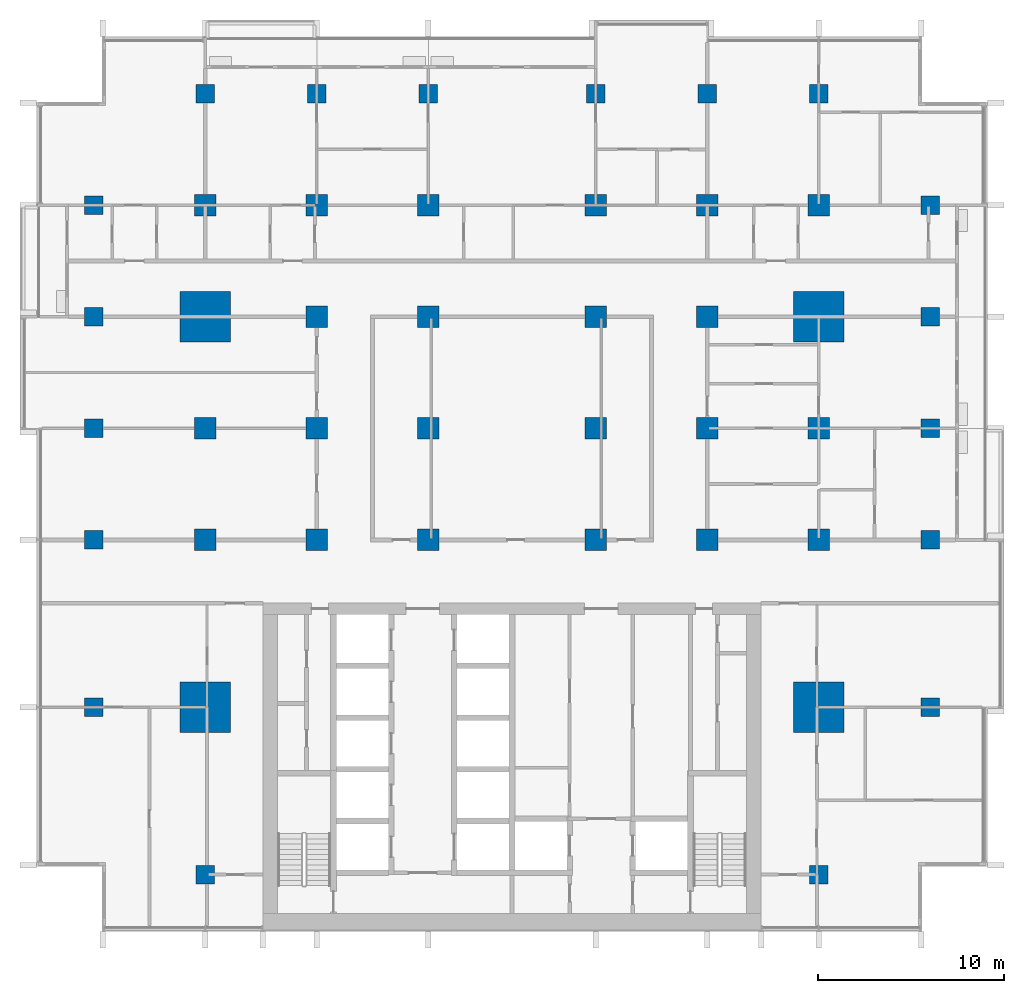
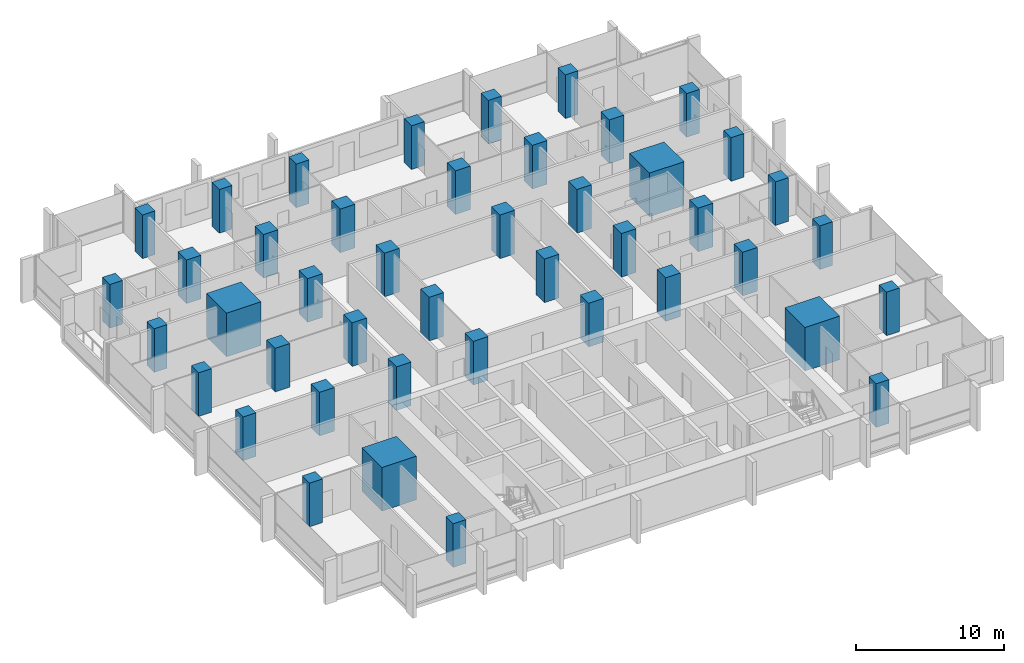
# One storey, part 1 of 17: 44 columns.
"""IFC4 building model written with IfcOpenShell, lengths in metres."""

import ifcopenshell
import ifcopenshell.guid

model = None  # the IFC model being written
_history = None  # IfcOwnerHistory: only IFC2X3 demands one
_inside = {}  # id of a spatial element -> (the spatial element, [elements in it])
_under = {}  # id of a project, library or spatial element -> (it, [spatial elements below it])
_declared = {}  # id of a project -> (the project, [libraries it declares])
_typed = {}  # id of a type object -> (the type object, [elements of that type])
_made_of = {}  # id of a material, layer set ... -> (it, [elements and type objects made of it])


def new_model(schema):
    """Start an empty IFC model of exactly this schema.

    Asked for "IFC4X3", IfcOpenShell would pick the latest addendum, in which some entities
    have other attributes; the version numbers below select the first issue.
    IFC2X3 requires an IfcOwnerHistory on every rooted entity: one is made here for all.
    """
    global model, _history
    if schema == "IFC4X3":
        model = ifcopenshell.file(schema_version=(4, 3, 0, 0))
    else:
        model = ifcopenshell.file(schema=schema)
    _inside.clear()
    _under.clear()
    _declared.clear()
    _typed.clear()
    _made_of.clear()
    _history = None
    if model.schema == "IFC2X3":
        org = make("IfcOrganization", Name="unknown")
        user = make(
            "IfcPersonAndOrganization",
            ThePerson=make("IfcPerson", FamilyName="unknown"),
            TheOrganization=org,
        )
        app = make(
            "IfcApplication",
            ApplicationDeveloper=org,
            Version="unknown",
            ApplicationFullName="unknown",
            ApplicationIdentifier="unknown",
        )
        _history = make(
            "IfcOwnerHistory",
            OwningUser=user,
            OwningApplication=app,
            ChangeAction="ADDED",
            CreationDate=0,
        )
    return model


def make(cls, **values):
    """One entity of the class cls with the attributes given. An attribute that is None is left unset."""
    return model.create_entity(
        cls, **{name: value for name, value in values.items() if value is not None}
    )


def rooted(cls, **values):
    """An entity with a GlobalId (a new one), such as an element, a storey or a relation."""
    return make(cls, GlobalId=ifcopenshell.guid.new(), OwnerHistory=_history, **values)


def si_unit(unit_type, name, prefix=None):
    """IfcSIUnit, for example si_unit("LENGTHUNIT", "METRE", prefix="MILLI")."""
    return make("IfcSIUnit", UnitType=unit_type, Prefix=prefix, Name=name)


def assignment(units):
    """IfcUnitAssignment: the units of a project."""
    return None if units is None else make("IfcUnitAssignment", Units=units)


def point(xyz):
    """IfcCartesianPoint."""
    return None if xyz is None else make("IfcCartesianPoint", Coordinates=xyz)


def direction(xyz):
    """IfcDirection."""
    return None if xyz is None else make("IfcDirection", DirectionRatios=xyz)


def frame(location, z_axis=None, x_axis=None):
    """IfcAxis2Placement3D, a coordinate frame: its origin and axes. An axis left out is left unset."""
    return make(
        "IfcAxis2Placement3D",
        Location=point(location),
        Axis=direction(z_axis),
        RefDirection=direction(x_axis),
    )


def frame_2d(location, x_axis=None):
    """IfcAxis2Placement2D, a coordinate frame in the plane: its origin and x axis."""
    return make(
        "IfcAxis2Placement2D", Location=point(location), RefDirection=direction(x_axis)
    )


def origin():
    """The frame at (0, 0, 0) with its axes left unset."""
    return frame((0.0, 0.0, 0.0))


def origin_2d():
    """The frame at (0, 0) in the plane with its x axis left unset."""
    return frame_2d((0.0, 0.0))


def place(relative_to, where):
    """IfcLocalPlacement: puts the frame where relative to a parent placement (None: the world)."""
    return make(
        "IfcLocalPlacement", PlacementRelTo=relative_to, RelativePlacement=where
    )


def context(
    kind, dimensions, precision=None, world=None, true_north=None, identifier=None
):
    """IfcGeometricRepresentationContext, for example the 3D "Model" context."""
    return make(
        "IfcGeometricRepresentationContext",
        ContextIdentifier=identifier,
        ContextType=kind,
        CoordinateSpaceDimension=dimensions,
        Precision=precision,
        WorldCoordinateSystem=world,
        TrueNorth=true_north,
    )


def subcontext(parent, identifier, kind, view, scale=None):
    """IfcGeometricRepresentationSubContext, for example "Body" below "Model"."""
    return make(
        "IfcGeometricRepresentationSubContext",
        ContextIdentifier=identifier,
        ContextType=kind,
        ParentContext=parent,
        TargetScale=scale,
        TargetView=view,
    )


def project(units=None, contexts=None):
    """IfcProject with its units and contexts."""
    return rooted(
        "IfcProject",
        Name="project",
        RepresentationContexts=contexts,
        UnitsInContext=assignment(units),
    )


def spatial(cls, under=None, at=None, **own):
    """A site, building, storey or space (cls), placed at a placement, below another one or the project."""
    s = rooted(cls, ObjectPlacement=at, **own)
    if under is not None:
        _under.setdefault(under.id(), (under, []))[1].append(s)
    return s


def profile(cls, at=None, kind="AREA", **sizes):
    """A parametric profile (cls). Its sizes go by their IFC names, for example OverallWidth=200.0."""
    return make(cls, ProfileType=kind, Position=at, **sizes)


def rectangle(**sizes):
    """IfcRectangleProfileDef."""
    return profile("IfcRectangleProfileDef", **sizes)


def extrude(swept, where, along, depth):
    """IfcExtrudedAreaSolid: the profile swept, set in the frame where, extruded along a direction by depth."""
    return make(
        "IfcExtrudedAreaSolid",
        SweptArea=swept,
        Position=where,
        ExtrudedDirection=direction(along),
        Depth=depth,
    )


def shape(context_of_items, identifier, shape_type, items):
    """IfcShapeRepresentation: the items that make up one representation, for example the "Body"."""
    return make(
        "IfcShapeRepresentation",
        ContextOfItems=context_of_items,
        RepresentationIdentifier=identifier,
        RepresentationType=shape_type,
        Items=items,
    )


def material(Name=None, Category=None):
    """IfcMaterial."""
    return make("IfcMaterial", Name=Name, Category=Category)


def material_profile(
    of_material, cross_section, Name=None, Category=None, Priority=None
):
    """IfcMaterialProfile: a cross section and its material."""
    return make(
        "IfcMaterialProfile",
        Name=Name,
        Material=of_material,
        Profile=cross_section,
        Priority=Priority,
        Category=Category,
    )


def profile_set(profiles, Name=None, composite=None):
    """IfcMaterialProfileSet."""
    return make(
        "IfcMaterialProfileSet",
        Name=Name,
        MaterialProfiles=profiles,
        CompositeProfile=composite,
    )


def made_of(thing, what):
    """Note that an element or type object is made of a material, layer set ...; save() writes the relation."""
    if what is not None:
        _made_of.setdefault(what.id(), (what, []))[1].append(thing)
    return thing


def type_object(cls, material=None, **own):
    """A type object (cls), such as IfcWallType, which elements share."""
    return made_of(rooted(cls, **own), material)


def element(
    cls,
    number,
    at=None,
    inside=None,
    cuts=None,
    type_object=None,
    material=None,
    context=None,
    identifier="Body",
    shape_type=None,
    held_by="IfcProductDefinitionShape",
    body=None,
    shapes=None,
    **own,
):
    """One element of the class cls, such as IfcWall. Its Tag is "e" and its number.

    at: its placement. inside: the storey or other place that contains it. cuts: it is an
    opening in that element (IfcRelVoidsElement). A single representation is given by context,
    identifier, shape_type and body (its items); several are given by shapes. held_by: the class
    of the entity that holds the representations. save() writes the other relations.
    """
    e = rooted(cls, Tag="e%d" % number, ObjectPlacement=at, **own)
    if body is not None:
        shapes = [shape(context, identifier, shape_type, body)]
    if shapes is not None:
        e.Representation = make(held_by, Representations=shapes)
    if inside is not None:
        _inside.setdefault(inside.id(), (inside, []))[1].append(e)
    if cuts is not None:
        rooted(
            "IfcRelVoidsElement", RelatingBuildingElement=cuts, RelatedOpeningElement=e
        )
    if type_object is not None:
        _typed.setdefault(type_object.id(), (type_object, []))[1].append(e)
    return made_of(e, material)


def aggregate(whole, parts):
    """IfcRelAggregates: a whole, such as a stair, and the parts it consists of."""
    return rooted("IfcRelAggregates", RelatingObject=whole, RelatedObjects=parts)


def save(model, path):
    """Write the relations noted so far, then the file.

    IfcRelAggregates (storeys below a building ...), IfcRelContainedInSpatialStructure (elements
    in a storey), IfcRelDefinesByType, IfcRelAssociatesMaterial and IfcRelDeclares: one each for
    every whole, place, type object, material and project.
    """
    for whole, parts in _under.values():
        aggregate(whole, parts)
    for where, things in _inside.values():
        rooted(
            "IfcRelContainedInSpatialStructure",
            RelatedElements=things,
            RelatingStructure=where,
        )
    for kind, things in _typed.values():
        rooted("IfcRelDefinesByType", RelatedObjects=things, RelatingType=kind)
    for what, things in _made_of.values():
        rooted("IfcRelAssociatesMaterial", RelatedObjects=things, RelatingMaterial=what)
    for by, libraries in _declared.values():
        rooted("IfcRelDeclares", RelatingContext=by, RelatedDefinitions=libraries)
    model.write(path)


model = new_model("IFC4")

# Units and contexts
model_context = context("Model", 3, precision=1e-05, world=origin(), true_north=direction((0.0, 1.0)))
body_context = subcontext(model_context, "Body", "Model", "MODEL_VIEW")
ifc_project = project(units=[si_unit("LENGTHUNIT", "METRE"), si_unit("AREAUNIT", "SQUARE_METRE"), si_unit("VOLUMEUNIT", "CUBIC_METRE"), si_unit("PLANEANGLEUNIT", "RADIAN"), si_unit("MASSUNIT", "GRAM", prefix="KILO")], contexts=[model_context])

# Site, building, storey
site_placement = place(None, origin())
site = spatial("IfcSite", under=ifc_project, at=site_placement, CompositionType="ELEMENT")
building_placement = place(site_placement, origin())
building = spatial("IfcBuilding", under=site, at=building_placement, Name="Finial Court Residences", CompositionType="ELEMENT")
storey_placement = place(building_placement, frame((0.0, 0.0, 95.5)))
storey = spatial("IfcBuildingStorey", under=building, at=storey_placement, Name="L23", CompositionType="ELEMENT", Elevation=95.5)

# Columns
ifc_material = material(Name="Concrete C70/85", Category="concrete")
ifc_material_profile_1 = material_profile(ifc_material, rectangle(XDim=1.14990234375, YDim=1.14990234375, at=origin_2d()), Name="1150x1150")
ifc_profile_set_1 = profile_set([ifc_material_profile_1], Name="Concrete C70/85")
column_type_1 = type_object("IfcColumnType", Name="Interior column 1150x1150 Concrete C70/85", PredefinedType="COLUMN", material=ifc_profile_set_1)
for number, where, z_axis, x_axis, name in (
    (1, (-16.5, -4.5, 0.0), (0.0, 0.0, 1.0), (1.0, 0.0, 0.0), "S:COL:L23:C4"),
    (2, (-16.5, 1.5, 0.0), (0.0, 0.0, 1.0), (1.0, 0.0, 0.0), "S:COL:L23:C5"),
    (3, (-16.5, 13.5, 0.0), (0.0, 0.0, 1.0), (1.0, 0.0, 0.0), "S:COL:L23:C7"),
    (4, (-10.5, -4.5, 0.0), (0.0, 0.0, 1.0), (1.0, 0.0, 0.0), "S:COL:L23:D4"),
    (5, (-10.5, 1.5, 0.0), (0.0, 0.0, 1.0), (1.0, 0.0, 0.0), "S:COL:L23:D5"),
    (6, (-10.5, 7.5, 0.0), (0.0, 0.0, 1.0), (1.0, 0.0, 0.0), "S:COL:L23:D6"),
    (7, (-10.5, 13.5, 0.0), (0.0, 0.0, 1.0), (1.0, 0.0, 0.0), "S:COL:L23:D7"),
    (8, (-4.5, -4.5, 0.0), (0.0, 0.0, 1.0), (1.0, 0.0, 0.0), "S:COL:L23:E4"),
    (9, (-4.5, 1.5, 0.0), (0.0, 0.0, 1.0), (1.0, 0.0, 0.0), "S:COL:L23:E5"),
    (10, (-4.5, 7.5, 0.0), (0.0, 0.0, 1.0), (1.0, 0.0, 0.0), "S:COL:L23:E6"),
    (11, (-4.5, 13.5, 0.0), (0.0, 0.0, 1.0), (1.0, 0.0, 0.0), "S:COL:L23:E7"),
    (12, (4.5, -4.5, 0.0), (0.0, 0.0, 1.0), (1.0, 0.0, 0.0), "S:COL:L23:F4"),
    (13, (4.5, 1.5, 0.0), (0.0, 0.0, 1.0), (1.0, 0.0, 0.0), "S:COL:L23:F5"),
    (14, (4.5, 7.5, 0.0), (0.0, 0.0, 1.0), (1.0, 0.0, 0.0), "S:COL:L23:F6"),
    (15, (4.5, 13.5, 0.0), (0.0, 0.0, 1.0), (1.0, 0.0, 0.0), "S:COL:L23:F7"),
    (16, (10.5, -4.5, 0.0), (0.0, 0.0, 1.0), (1.0, 0.0, 0.0), "S:COL:L23:G4"),
    (17, (10.5, 1.5, 0.0), (0.0, 0.0, 1.0), (1.0, 0.0, 0.0), "S:COL:L23:G5"),
    (18, (10.5, 7.5, 0.0), (0.0, 0.0, 1.0), (1.0, 0.0, 0.0), "S:COL:L23:G6"),
    (19, (10.5, 13.5, 0.0), (0.0, 0.0, 1.0), (1.0, 0.0, 0.0), "S:COL:L23:G7"),
    (20, (16.5, -4.5, 0.0), (0.0, 0.0, 1.0), (1.0, 0.0, 0.0), "S:COL:L23:H4"),
    (21, (16.5, 1.5, 0.0), (0.0, 0.0, 1.0), (1.0, 0.0, 0.0), "S:COL:L23:H5"),
    (22, (16.5, 13.5, 0.0), (0.0, 0.0, 1.0), (1.0, 0.0, 0.0), "S:COL:L23:H7"),
):
    element("IfcColumn", number, at=place(storey_placement, frame(where, z_axis=z_axis, x_axis=x_axis)), inside=storey, type_object=column_type_1, Name=name, PredefinedType="COLUMN", context=body_context, shape_type="SweptSolid", body=[
        extrude(rectangle(XDim=1.14990234375, YDim=1.14990234375, at=origin_2d()), origin(), (0.0, 0.0, 1.0), 3.60009765625),
    ])
ifc_material_profile_2 = material_profile(ifc_material, rectangle(XDim=2.699951171875, YDim=2.699951171875, at=origin_2d()), Name="2700x2700")
ifc_profile_set_2 = profile_set([ifc_material_profile_2], Name="Concrete C70/85")
column_type_2 = type_object("IfcColumnType", Name="Mega column 2700x2700 Concrete C70/85", PredefinedType="COLUMN", material=ifc_profile_set_2)
for number, where, z_axis, x_axis, name in (
    (23, (-16.5, -13.5, 0.0), (0.0, 0.0, 1.0), (1.0, 0.0, 0.0), "S:COL:L23:C3"),
    (24, (-16.5, 7.5, 0.0), (0.0, 0.0, 1.0), (1.0, 0.0, 0.0), "S:COL:L23:C6"),
    (25, (16.5, -13.5, 0.0), (0.0, 0.0, 1.0), (1.0, 0.0, 0.0), "S:COL:L23:H3"),
    (26, (16.5, 7.5, 0.0), (0.0, 0.0, 1.0), (1.0, 0.0, 0.0), "S:COL:L23:H6"),
):
    element("IfcColumn", number, at=place(storey_placement, frame(where, z_axis=z_axis, x_axis=x_axis)), inside=storey, type_object=column_type_2, Name=name, PredefinedType="COLUMN", context=body_context, shape_type="SweptSolid", body=[
        extrude(rectangle(XDim=2.699951171875, YDim=2.699951171875, at=origin_2d()), origin(), (0.0, 0.0, 1.0), 3.60009765625),
    ])
ifc_material_profile_3 = material_profile(ifc_material, rectangle(XDim=1.0, YDim=1.0, at=origin_2d()), Name="1000x1000")
ifc_profile_set_3 = profile_set([ifc_material_profile_3], Name="Concrete C70/85")
column_type_3 = type_object("IfcColumnType", Name="Perimeter column 1000x1000 Concrete C70/85", PredefinedType="COLUMN", material=ifc_profile_set_3)
for number, where, z_axis, x_axis, name in (
    (27, (-22.5, -13.5, 0.0), (0.0, 0.0, 1.0), (1.0, 0.0, 0.0), "S:COL:L23:B3"),
    (28, (-22.5, -4.5, 0.0), (0.0, 0.0, 1.0), (1.0, 0.0, 0.0), "S:COL:L23:B4"),
    (29, (-22.5, 1.5, 0.0), (0.0, 0.0, 1.0), (1.0, 0.0, 0.0), "S:COL:L23:B5"),
    (30, (-22.5, 7.5, 0.0), (0.0, 0.0, 1.0), (1.0, 0.0, 0.0), "S:COL:L23:B6"),
    (31, (-22.5, 13.5, 0.0), (0.0, 0.0, 1.0), (1.0, 0.0, 0.0), "S:COL:L23:B7"),
    (32, (-16.5, -22.5, 0.0), (0.0, 0.0, 1.0), (1.0, 0.0, 0.0), "S:COL:L23:C2"),
    (33, (-16.5, 19.5, 0.0), (0.0, 0.0, 1.0), (1.0, 0.0, 0.0), "S:COL:L23:C8"),
    (34, (-10.5, 19.5, 0.0), (0.0, 0.0, 1.0), (1.0, 0.0, 0.0), "S:COL:L23:D8"),
    (35, (-4.5, 19.5, 0.0), (0.0, 0.0, 1.0), (1.0, 0.0, 0.0), "S:COL:L23:E8"),
    (36, (4.5, 19.5, 0.0), (0.0, 0.0, 1.0), (1.0, 0.0, 0.0), "S:COL:L23:F8"),
    (37, (10.5, 19.5, 0.0), (0.0, 0.0, 1.0), (1.0, 0.0, 0.0), "S:COL:L23:G8"),
    (38, (16.5, -22.5, 0.0), (0.0, 0.0, 1.0), (1.0, 0.0, 0.0), "S:COL:L23:H2"),
    (39, (16.5, 19.5, 0.0), (0.0, 0.0, 1.0), (1.0, 0.0, 0.0), "S:COL:L23:H8"),
    (40, (22.5, -13.5, 0.0), (0.0, 0.0, 1.0), (1.0, 0.0, 0.0), "S:COL:L23:I3"),
    (41, (22.5, -4.5, 0.0), (0.0, 0.0, 1.0), (1.0, 0.0, 0.0), "S:COL:L23:I4"),
    (42, (22.5, 1.5, 0.0), (0.0, 0.0, 1.0), (1.0, 0.0, 0.0), "S:COL:L23:I5"),
    (43, (22.5, 7.5, 0.0), (0.0, 0.0, 1.0), (1.0, 0.0, 0.0), "S:COL:L23:I6"),
    (44, (22.5, 13.5, 0.0), (0.0, 0.0, 1.0), (1.0, 0.0, 0.0), "S:COL:L23:I7"),
):
    element("IfcColumn", number, at=place(storey_placement, frame(where, z_axis=z_axis, x_axis=x_axis)), inside=storey, type_object=column_type_3, Name=name, PredefinedType="COLUMN", context=body_context, shape_type="SweptSolid", body=[
        extrude(rectangle(XDim=1.0, YDim=1.0, at=origin_2d()), origin(), (0.0, 0.0, 1.0), 3.60009765625),
    ])

save(model, "model.ifc")
